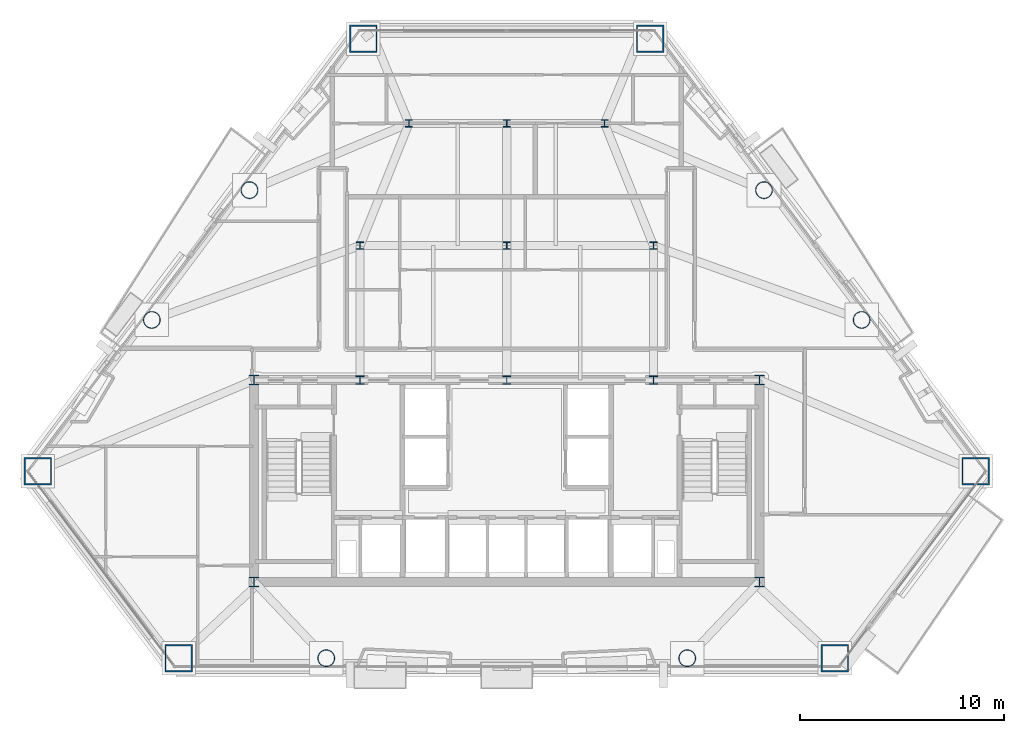
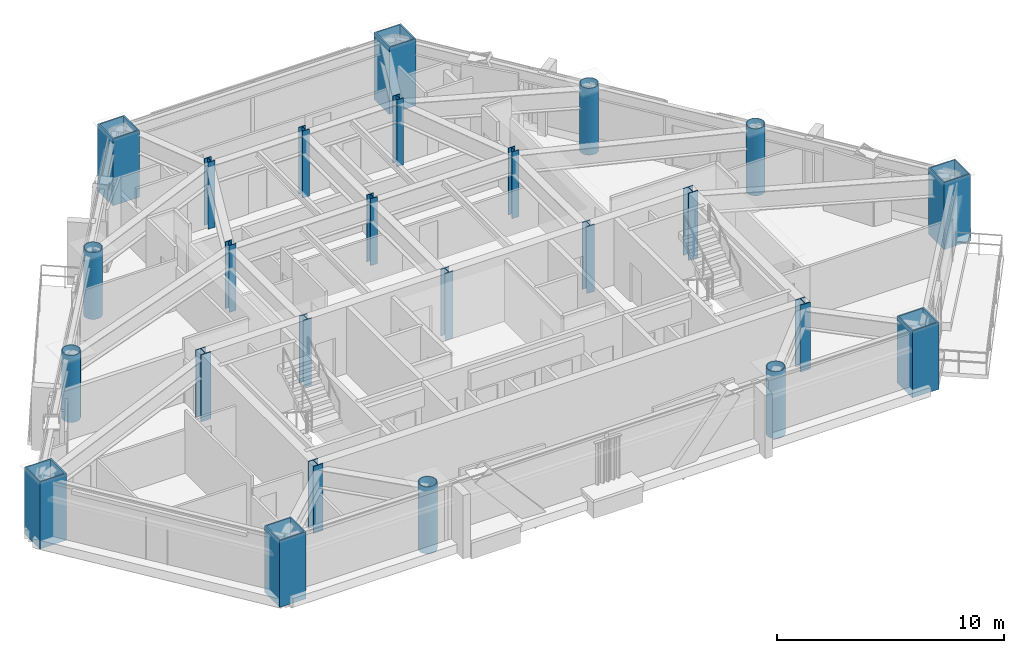
# One storey, part 1 of 11: 25 columns.
"""IFC4 building model written with IfcOpenShell, lengths in metres."""

from ifc_helpers import new_model, si_unit, direction, frame, origin, origin_2d, place, context, subcontext, project, spatial, hollow_rectangle, hollow_circle, i_section, extrude, material, material_profile, profile_set, type_object, element, save


model = new_model("IFC4")

# Units and contexts
model_context = context("Model", 3, precision=1e-05, world=origin(), true_north=direction((0.0, 1.0)))
body_context = subcontext(model_context, "Body", "Model", "MODEL_VIEW")
ifc_project = project(units=[si_unit("LENGTHUNIT", "METRE"), si_unit("AREAUNIT", "SQUARE_METRE"), si_unit("VOLUMEUNIT", "CUBIC_METRE"), si_unit("PLANEANGLEUNIT", "RADIAN"), si_unit("MASSUNIT", "GRAM", prefix="KILO")], contexts=[model_context])

# Site, building, storey
site_placement = place(None, origin())
site = spatial("IfcSite", under=ifc_project, at=site_placement, CompositionType="ELEMENT")
building_placement = place(site_placement, origin())
building = spatial("IfcBuilding", under=site, at=building_placement, Name="Talgorran Terracotta Tower", CompositionType="ELEMENT")
storey_placement = place(building_placement, frame((0.0, 0.0, 79.199951171875)))
storey = spatial("IfcBuildingStorey", under=building, at=storey_placement, Name="L20", CompositionType="ELEMENT", Elevation=79.199951171875)

# Columns
ifc_material_1 = material(Name="Steel S355 (300PLUS)", Category="steel")
ifc_material_profile_1 = material_profile(ifc_material_1, i_section(OverallWidth=0.35009765625, OverallDepth=0.366943359375, WebThickness=0.02490234375, FlangeThickness=0.031982421875, at=origin_2d()), Name="350WC258")
ifc_profile_set_1 = profile_set([ifc_material_profile_1], Name="Steel S355 (300PLUS)")
column_type_1 = type_object("IfcColumnType", Name="COL_350WC258", PredefinedType="COLUMN", material=ifc_profile_set_1)
for number, where, z_axis, x_axis, name in (
    (1, (-7.199951171875, 2.39990234375, 0.0), (0.0, 0.0, 1.0), (1.0, 0.0, 0.0), "L20 Interior Gravity Column IC1"),
    (2, (0.0, 2.39990234375, 0.0), (0.0, 0.0, 1.0), (1.0, 0.0, 0.0), "L20 Interior Gravity Column IC2"),
    (3, (7.199951171875, 2.39990234375, 0.0), (0.0, 0.0, 1.0), (1.0, 0.0, 0.0), "L20 Interior Gravity Column IC3"),
    (4, (-4.800048828125, 8.39990234375, 0.0), (0.0, 0.0, 1.0), (1.0, 0.0, 0.0), "L20 Interior Gravity Column IC4"),
    (5, (0.0, 8.39990234375, 0.0), (0.0, 0.0, 1.0), (1.0, 0.0, 0.0), "L20 Interior Gravity Column IC5"),
    (6, (4.800048828125, 8.39990234375, 0.0), (0.0, 0.0, 1.0), (1.0, 0.0, 0.0), "L20 Interior Gravity Column IC6"),
):
    element("IfcColumn", number, at=place(storey_placement, frame(where, z_axis=z_axis, x_axis=x_axis)), inside=storey, type_object=column_type_1, Name=name, PredefinedType="COLUMN", context=body_context, shape_type="SweptSolid", body=[
        extrude(i_section(OverallWidth=0.35009765625, OverallDepth=0.366943359375, WebThickness=0.02490234375, FlangeThickness=0.031982421875, at=origin_2d()), origin(), (0.0, 0.0, 1.0), 3.60009765625),
    ])
ifc_material_profile_2 = material_profile(ifc_material_1, i_section(OverallWidth=0.5, OverallDepth=0.48193359375, WebThickness=0.0400390625, FlangeThickness=0.044921875, at=origin_2d()), Name="500WC440")
ifc_profile_set_2 = profile_set([ifc_material_profile_2], Name="Steel S355 (300PLUS)")
column_type_2 = type_object("IfcColumnType", Name="COL_500WC440", PredefinedType="COLUMN", material=ifc_profile_set_2)
for number, where, z_axis, x_axis, name in (
    (7, (-12.39990234375, -14.10009765625, 0.0), (0.0, 0.0, 1.0), (1.0, 0.0, 0.0), "L20 Core Boundary Column CC1"),
    (8, (12.39990234375, -14.10009765625, 0.0), (0.0, 0.0, 1.0), (1.0, 0.0, 0.0), "L20 Core Boundary Column CC2"),
    (9, (12.39990234375, -4.199951171875, 0.0), (0.0, 0.0, 1.0), (1.0, 0.0, 0.0), "L20 Core Boundary Column CC3"),
    (10, (-12.39990234375, -4.199951171875, 0.0), (0.0, 0.0, 1.0), (1.0, 0.0, 0.0), "L20 Core Boundary Column CC4"),
):
    element("IfcColumn", number, at=place(storey_placement, frame(where, z_axis=z_axis, x_axis=x_axis)), inside=storey, type_object=column_type_2, Name=name, PredefinedType="COLUMN", context=body_context, shape_type="SweptSolid", body=[
        extrude(i_section(OverallWidth=0.5, OverallDepth=0.48193359375, WebThickness=0.0400390625, FlangeThickness=0.044921875, at=origin_2d()), origin(), (0.0, 0.0, 1.0), 3.60009765625),
    ])
ifc_material_2 = material(Name="Steel Grade 350 (350L0)", Category="steel")
ifc_material_profile_3 = material_profile(ifc_material_2, hollow_rectangle(XDim=1.35009765625, YDim=1.35009765625, WallThickness=0.06494140625, at=origin_2d()), Name="CFT1350X1350X65")
ifc_profile_set_3 = profile_set([ifc_material_profile_3], Name="Steel Grade 350 (350L0)")
column_type_3 = type_object("IfcColumnType", Name="COL_CFT_1350", PredefinedType="COLUMN", material=ifc_profile_set_3)
for number, where, z_axis, x_axis, name in (
    (11, (-23.005126953125, -8.6728515625, 0.0), (0.0, 0.0, 1.0), (1.0, 0.0, 0.0), "L20 Corner CFT Mega-Column MC1"),
    (12, (-16.1025390625, -17.8466796875, 0.0), (0.0, 0.0, 1.0), (1.0, 0.0, 0.0), "L20 Corner CFT Mega-Column MC2"),
    (13, (16.1025390625, -17.8466796875, 0.0), (0.0, 0.0, 1.0), (1.0, 0.0, 0.0), "L20 Corner CFT Mega-Column MC3"),
    (14, (23.005126953125, -8.6728515625, 0.0), (0.0, 0.0, 1.0), (1.0, 0.0, 0.0), "L20 Corner CFT Mega-Column MC4"),
    (15, (7.034423828125, 12.552734375, 0.0), (0.0, 0.0, 1.0), (1.0, 0.0, 0.0), "L20 Corner CFT Mega-Column MC5"),
    (16, (-7.034423828125, 12.552734375, 0.0), (0.0, 0.0, 1.0), (1.0, 0.0, 0.0), "L20 Corner CFT Mega-Column MC6"),
):
    element("IfcColumn", number, at=place(storey_placement, frame(where, z_axis=z_axis, x_axis=x_axis)), inside=storey, type_object=column_type_3, Name=name, PredefinedType="COLUMN", context=body_context, shape_type="SweptSolid", body=[
        extrude(hollow_rectangle(XDim=1.35009765625, YDim=1.35009765625, WallThickness=0.06494140625, at=origin_2d()), origin(), (0.0, 0.0, 1.0), 3.60009765625),
    ])
ifc_material_profile_4 = material_profile(ifc_material_2, hollow_circle(Radius=0.425048828125, WallThickness=0.0380859375, at=origin_2d()), Name="CHS850X38")
ifc_profile_set_4 = profile_set([ifc_material_profile_4], Name="Steel Grade 350 (350L0)")
column_type_4 = type_object("IfcColumnType", Name="COL_CHS_850", PredefinedType="COLUMN", material=ifc_profile_set_4)
for number, where, z_axis, x_axis, name in (
    (17, (-8.8564453125, -17.8466796875, 0.0), (0.0, 0.0, 1.0), (1.0, 0.0, 0.0), "L20 Facet Perimeter Column FC1"),
    (18, (8.8564453125, -17.8466796875, 0.0), (0.0, 0.0, 1.0), (1.0, 0.0, 0.0), "L20 Facet Perimeter Column FC2"),
    (19, (17.41552734375, -1.243896484375, 0.0), (0.0, 0.0, 1.0), (1.0, 0.0, 0.0), "L20 Facet Perimeter Column FC3"),
    (20, (12.624267578125, 5.123779296875, 0.0), (0.0, 0.0, 1.0), (1.0, 0.0, 0.0), "L20 Facet Perimeter Column FC4"),
    (21, (-12.624267578125, 5.123779296875, 0.0), (0.0, 0.0, 1.0), (1.0, 0.0, 0.0), "L20 Facet Perimeter Column FC5"),
    (22, (-17.41552734375, -1.243896484375, 0.0), (0.0, 0.0, 1.0), (1.0, 0.0, 0.0), "L20 Facet Perimeter Column FC6"),
):
    element("IfcColumn", number, at=place(storey_placement, frame(where, z_axis=z_axis, x_axis=x_axis)), inside=storey, type_object=column_type_4, Name=name, PredefinedType="COLUMN", context=body_context, shape_type="SweptSolid", body=[
        extrude(hollow_circle(Radius=0.425048828125, WallThickness=0.0380859375, at=origin_2d()), origin(), (0.0, 0.0, 1.0), 3.60009765625),
    ])
ifc_material_profile_5 = material_profile(ifc_material_1, i_section(OverallWidth=0.405029296875, OverallDepth=0.4140625, WebThickness=0.02197265625, FlangeThickness=0.031982421875, at=origin_2d()), Name="400WC270")
ifc_profile_set_5 = profile_set([ifc_material_profile_5], Name="Steel S355 (300PLUS)")
column_type_5 = type_object("IfcColumnType", Name="COL_PIL_400WC270", PredefinedType="PILASTER", material=ifc_profile_set_5)
for number, where, z_axis, x_axis, name in (
    (23, (-7.199951171875, -4.199951171875, 0.0), (0.0, 0.0, 1.0), (1.0, 0.0, 0.0), "L20 Core Shear Pilaster CP1"),
    (24, (0.0, -4.199951171875, 0.0), (0.0, 0.0, 1.0), (1.0, 0.0, 0.0), "L20 Core Shear Pilaster CP2"),
    (25, (7.199951171875, -4.199951171875, 0.0), (0.0, 0.0, 1.0), (1.0, 0.0, 0.0), "L20 Core Shear Pilaster CP3"),
):
    element("IfcColumn", number, at=place(storey_placement, frame(where, z_axis=z_axis, x_axis=x_axis)), inside=storey, type_object=column_type_5, Name=name, PredefinedType="PILASTER", context=body_context, shape_type="SweptSolid", body=[
        extrude(i_section(OverallWidth=0.405029296875, OverallDepth=0.4140625, WebThickness=0.02197265625, FlangeThickness=0.031982421875, at=origin_2d()), origin(), (0.0, 0.0, 1.0), 3.60009765625),
    ])

save(model, "model.ifc")
